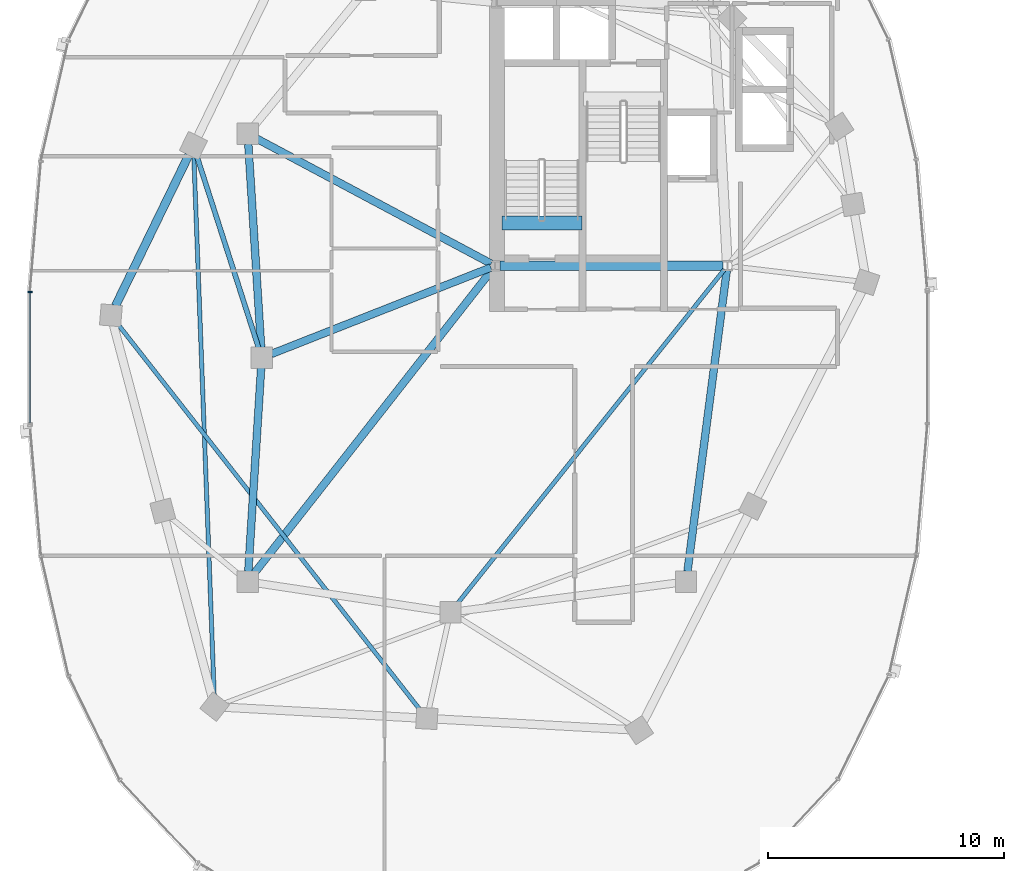
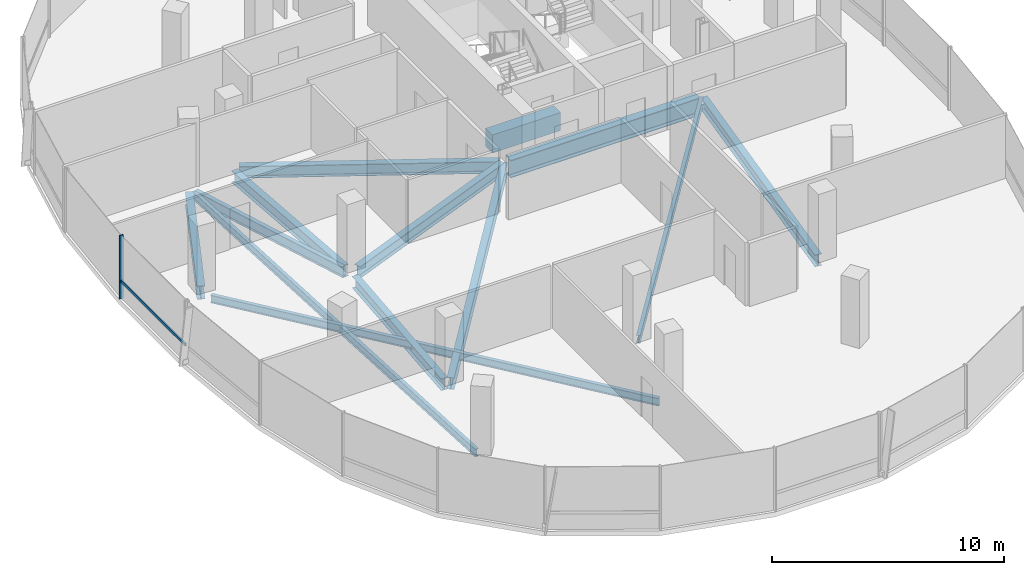
# One storey, part 4 of 25: 13 beams, 2 members, 1 element without a shape of its own.
"""IFC4 building model written with IfcOpenShell, lengths in metres."""

from ifc_helpers import new_model, si_unit, direction, frame, origin, origin_2d, place, context, subcontext, project, spatial, rectangle, i_section, extrude, material, material_profile, profile_set, type_object, element, aggregate, save


model = new_model("IFC4")

# Units and contexts
model_context = context("Model", 3, precision=1e-05, world=origin(), true_north=direction((0.0, 1.0)))
body_context = subcontext(model_context, "Body", "Model", "MODEL_VIEW")
ifc_project = project(units=[si_unit("LENGTHUNIT", "METRE"), si_unit("AREAUNIT", "SQUARE_METRE"), si_unit("VOLUMEUNIT", "CUBIC_METRE"), si_unit("PLANEANGLEUNIT", "RADIAN"), si_unit("MASSUNIT", "GRAM", prefix="KILO"), si_unit("THERMODYNAMICTEMPERATUREUNIT", "KELVIN"), si_unit("POWERUNIT", "WATT")], contexts=[model_context])

# Site, building, storey
site_placement = place(None, origin())
site = spatial("IfcSite", under=ifc_project, at=site_placement, CompositionType="ELEMENT")
building_placement = place(site_placement, origin())
building = spatial("IfcBuilding", under=site, at=building_placement, Name="Cundina Bronze Exchange", CompositionType="ELEMENT")
storey_placement = place(building_placement, frame((0.0, 0.0, 209.800048828125)))
storey = spatial("IfcBuildingStorey", under=building, at=storey_placement, Name="L55", CompositionType="ELEMENT", Elevation=209.800048828125)

# Beams
ifc_material_1 = material(Name="Concrete C60/75", Category="concrete")
ifc_material_profile_1 = material_profile(ifc_material_1, rectangle(XDim=0.60009765625, YDim=0.949951171875, at=origin_2d()), Name="RC600X950", Category="concrete")
ifc_profile_set_1 = profile_set([ifc_material_profile_1], Name="Concrete C60/75")
beam_type_1 = type_object("IfcBeamType", Name="BM-COUP-RC950", PredefinedType="LINTEL", material=ifc_profile_set_1)
beam_1_placement = place(storey_placement, frame((-31.02001953125, 5.719970703125, -0.47509765625), z_axis=(1.0, 0.0, 0.0), x_axis=(0.0, 1.0, 0.0)))
element("IfcBeam", 1, at=beam_1_placement, inside=storey, type_object=beam_type_1, Name="L55 Stair W1 Landing Header Beam", PredefinedType="LINTEL", context=body_context, shape_type="SweptSolid", body=[
    extrude(rectangle(XDim=0.60009765625, YDim=0.949951171875, at=origin_2d()), origin(), (0.0, 0.0, 1.0), 3.39990234375),
])
ifc_material_2 = material(Name="Steel ASTM A992 Grade 50", Category="steel")
ifc_material_profile_2 = material_profile(ifc_material_2, i_section(OverallWidth=0.2119140625, OverallDepth=0.5439453125, WebThickness=0.01318359375, FlangeThickness=0.021240234375, FilletRadius=0.013916015625, at=origin_2d()), Name="W21X83", Category="steel")
ifc_profile_set_2 = profile_set([ifc_material_profile_2], Name="Steel ASTM A992 Grade 50")
beam_type_2 = type_object("IfcBeamType", Name="BM-FLR-W21A", PredefinedType="BEAM", material=ifc_profile_set_2)
beam_2_placement = place(storey_placement, frame((-41.334228515625, 0.4169921875, -0.531982421875), z_axis=(-0.306727566953, 0.951797352208, 0.0), x_axis=(-0.951797352208, -0.306727566953, 0.0)))
element("IfcBeam", 2, at=beam_2_placement, inside=storey, type_object=beam_type_2, Name="L55 Leg W Radial Floor Beam 07", PredefinedType="BEAM", context=body_context, shape_type="SweptSolid", body=[
    extrude(i_section(OverallWidth=0.2119140625, OverallDepth=0.5439453125, WebThickness=0.01318359375, FlangeThickness=0.021240234375, FilletRadius=0.013916015625, at=origin_2d()), origin(), (0.0, 0.0, 1.0), 8.57958984375),
])
ifc_material_profile_3 = material_profile(ifc_material_2, i_section(OverallWidth=0.178955078125, OverallDepth=0.409912109375, WebThickness=0.0087890625, FlangeThickness=0.014404296875, FilletRadius=0.010986328125, at=origin_2d()), Name="W16X45", Category="steel")
ifc_profile_set_3 = profile_set([ifc_material_profile_3], Name="Steel ASTM A992 Grade 50")
beam_type_3 = type_object("IfcBeamType", Name="BM-JST-W16", PredefinedType="JOIST", material=ifc_profile_set_3)
beam_3_placement = place(storey_placement, frame((-21.572509765625, 3.746826171875, -0.465087890625), z_axis=(-0.624364266872, -0.781133319129, 0.0), x_axis=(0.781133319129, -0.624364266872, 0.0)))
element("IfcBeam", 3, at=beam_3_placement, inside=storey, type_object=beam_type_3, Name="L55 W Interior Core-to-Ring Joist 2", PredefinedType="JOIST", context=body_context, shape_type="SweptSolid", body=[
    extrude(i_section(OverallWidth=0.178955078125, OverallDepth=0.409912109375, WebThickness=0.0087890625, FlangeThickness=0.014404296875, FilletRadius=0.010986328125, at=origin_2d()), origin(), (0.0, 0.0, 1.0), 18.184814453125),
])
beam_4_placement = place(storey_placement, frame((-44.08349609375, 8.562255859375, -0.465087890625), z_axis=(0.037790216102, -0.999285694667, 0.0), x_axis=(0.999285694667, 0.037790216102, 0.0)))
element("IfcBeam", 4, at=beam_4_placement, inside=storey, type_object=beam_type_3, Name="L55 Leg W Lobe Floor Joist 07-10", PredefinedType="JOIST", context=body_context, shape_type="SweptSolid", body=[
    extrude(i_section(OverallWidth=0.178955078125, OverallDepth=0.409912109375, WebThickness=0.0087890625, FlangeThickness=0.014404296875, FilletRadius=0.010986328125, at=origin_2d()), origin(), (0.0, 0.0, 1.0), 22.94091796875),
])
beam_5_placement = place(storey_placement, frame((-47.329833984375, 1.455078125, -0.465087890625), z_axis=(0.616810493522, -0.787111691618, 0.0), x_axis=(0.787111691618, 0.616810493522, 0.0)))
element("IfcBeam", 5, at=beam_5_placement, inside=storey, type_object=beam_type_3, Name="L55 Leg W Lobe Floor Joist 08-11", PredefinedType="JOIST", context=body_context, shape_type="SweptSolid", body=[
    extrude(i_section(OverallWidth=0.178955078125, OverallDepth=0.409912109375, WebThickness=0.0087890625, FlangeThickness=0.014404296875, FilletRadius=0.010986328125, at=origin_2d()), origin(), (0.0, 0.0, 1.0), 20.8486328125),
])
ifc_material_profile_4 = material_profile(ifc_material_2, i_section(OverallWidth=0.324951171875, OverallDepth=0.615966796875, WebThickness=0.013916015625, FlangeThickness=0.021484375, FilletRadius=0.01611328125, at=origin_2d()), Name="W24X117", Category="steel")
ifc_profile_set_4 = profile_set([ifc_material_profile_4], Name="Steel ASTM A992 Grade 50")
beam_type_4 = type_object("IfcBeamType", Name="BM-RING-W24", PredefinedType="USERDEFINED", material=ifc_profile_set_4)
for number, where, z_axis, x_axis, name in (
    (6, (-41.7724609375, 9.06298828125, -0.568115234375), (0.063046519736, -0.998010589297, 0.0), (0.998010589297, 0.063046519736, 0.0), "L55 W Inner Structural Ring Girder 03"),
    (7, (-41.2275390625, -0.43701171875, -0.568115234375), (-0.063046519736, -0.998010589297, 0.0), (0.998010589297, -0.063046519736, 0.0), "L55 W Inner Structural Ring Girder 04"),
):
    element("IfcBeam", number, at=place(storey_placement, frame(where, z_axis=z_axis, x_axis=x_axis)), inside=storey, type_object=beam_type_4, Name=name, ObjectType="GIRDER", PredefinedType="USERDEFINED", context=body_context, shape_type="SweptSolid", body=[
        extrude(i_section(OverallWidth=0.324951171875, OverallDepth=0.615966796875, WebThickness=0.013916015625, FlangeThickness=0.021484375, FilletRadius=0.01611328125, at=origin_2d()), origin(), (0.0, 0.0, 1.0), 8.64306640625),
    ])
beam_6_placement = place(storey_placement, frame((-23.143310546875, -9.065673828125, -0.568115234375), z_axis=(0.129501251979, 0.991579258424, 0.0), x_axis=(-0.991579258424, 0.129501251979, 0.0)))
element("IfcBeam", 8, at=beam_6_placement, inside=storey, type_object=beam_type_4, Name="L55 W Inner Structural Ring Girder 07", ObjectType="GIRDER", PredefinedType="USERDEFINED", context=body_context, shape_type="SweptSolid", body=[
    extrude(i_section(OverallWidth=0.324951171875, OverallDepth=0.615966796875, WebThickness=0.013916015625, FlangeThickness=0.021484375, FilletRadius=0.01611328125, at=origin_2d()), origin(), (0.0, 0.0, 1.0), 12.8798828125),
])
beam_7_placement = place(storey_placement, frame((-31.482421875, 3.828125, -0.568115234375), z_axis=(-0.930404106569, -0.366535398673, 0.0), x_axis=(0.366535398673, -0.930404106569, 0.0)))
element("IfcBeam", 9, at=beam_7_placement, inside=storey, type_object=beam_type_4, Name="L55 W Core-to-Waist Tie Beam 1", ObjectType="GIRDER", PredefinedType="USERDEFINED", context=body_context, shape_type="SweptSolid", body=[
    extrude(i_section(OverallWidth=0.324951171875, OverallDepth=0.615966796875, WebThickness=0.013916015625, FlangeThickness=0.021484375, FilletRadius=0.01611328125, at=origin_2d()), origin(), (0.0, 0.0, 1.0), 10.00634765625),
])
beam_8_placement = place(storey_placement, frame((-31.472900390625, 3.9921875, -0.568115234375), z_axis=(-0.882350541683, 0.470592734317, 0.0), x_axis=(-0.470592734317, -0.882350541683, 0.0)))
element("IfcBeam", 10, at=beam_8_placement, inside=storey, type_object=beam_type_4, Name="L55 W Core-to-Waist Tie Beam 2", ObjectType="GIRDER", PredefinedType="USERDEFINED", context=body_context, shape_type="SweptSolid", body=[
    extrude(i_section(OverallWidth=0.324951171875, OverallDepth=0.615966796875, WebThickness=0.013916015625, FlangeThickness=0.021484375, FilletRadius=0.01611328125, at=origin_2d()), origin(), (0.0, 0.0, 1.0), 11.26611328125),
])
beam_9_placement = place(storey_placement, frame((-31.4208984375, 3.74560546875, -0.568115234375), z_axis=(-0.616782900053, -0.787133314123, 0.0), x_axis=(0.787133314123, -0.616782900053, 0.0)))
element("IfcBeam", 11, at=beam_9_placement, inside=storey, type_object=beam_type_4, Name="L55 W Core-to-Waist Tie Beam 3", ObjectType="GIRDER", PredefinedType="USERDEFINED", context=body_context, shape_type="SweptSolid", body=[
    extrude(i_section(OverallWidth=0.324951171875, OverallDepth=0.615966796875, WebThickness=0.013916015625, FlangeThickness=0.021484375, FilletRadius=0.01611328125, at=origin_2d()), origin(), (0.0, 0.0, 1.0), 16.3896484375),
])
ifc_material_profile_5 = material_profile(ifc_material_2, i_section(OverallWidth=0.35498046875, OverallDepth=0.695068359375, WebThickness=0.015380859375, FlangeThickness=0.02490234375, FilletRadius=0.01806640625, at=origin_2d()), Name="W27X146", Category="steel")
ifc_profile_set_5 = profile_set([ifc_material_profile_5], Name="Steel ASTM A992 Grade 50")
beam_type_5 = type_object("IfcBeamType", Name="BM-RING-W27", PredefinedType="USERDEFINED", material=ifc_profile_set_5)
beam_10_placement = place(storey_placement, frame((-44.29150390625, 8.606201171875, -0.607666015625), z_axis=(-0.437173087764, -0.89937739094, 0.0), x_axis=(0.89937739094, -0.437173087764, 0.0)))
element("IfcBeam", 12, at=beam_10_placement, inside=storey, type_object=beam_type_5, Name="L55 W Perimeter Ring Girder 07", ObjectType="GIRDER", PredefinedType="USERDEFINED", context=body_context, shape_type="SweptSolid", body=[
    extrude(i_section(OverallWidth=0.35498046875, OverallDepth=0.695068359375, WebThickness=0.015380859375, FlangeThickness=0.02490234375, FilletRadius=0.01806640625, at=origin_2d()), origin(), (0.0, 0.0, 1.0), 7.1298828125),
])
ifc_material_profile_6 = material_profile(ifc_material_2, i_section(OverallWidth=0.41796875, OverallDepth=0.927001953125, WebThickness=0.019287109375, FlangeThickness=0.031982421875, FilletRadius=0.02392578125, at=origin_2d()), Name="W36X231", Category="steel")
ifc_profile_set_6 = profile_set([ifc_material_profile_6], Name="Steel ASTM A992 Grade 50")
beam_type_6 = type_object("IfcBeamType", Name="BM-WRN-W36B", PredefinedType="USERDEFINED", material=ifc_profile_set_6)
beam_11_placement = place(storey_placement, frame((-31.10400390625, 3.89990234375, -0.7236328125), z_axis=(1.0, 0.0, 0.0), x_axis=(0.0, 1.0, 0.0)))
element("IfcBeam", 13, at=beam_11_placement, inside=storey, type_object=beam_type_6, Name="L55 W Core Perimeter Tie Girder 1", ObjectType="GIRDER", PredefinedType="USERDEFINED", context=body_context, shape_type="SweptSolid", body=[
    extrude(i_section(OverallWidth=0.41796875, OverallDepth=0.927001953125, WebThickness=0.019287109375, FlangeThickness=0.031982421875, FilletRadius=0.02392578125, at=origin_2d()), origin(), (0.0, 0.0, 1.0), 9.4580078125),
])

# Curtain wall, members
ifc_material_3 = material(Name="Anodised Bronze Aluminium 6063-T6", Category="aluminium")
curtain_wall_type = type_object("IfcCurtainWallType", Name="CWS-UPP-OFF", PredefinedType="NOTDEFINED", material=ifc_material_3)
curtain_wall_placement = place(storey_placement, origin())
curtain_wall = element("IfcCurtainWall", 14, at=curtain_wall_placement, inside=storey, type_object=curtain_wall_type, Name="L55 CW-05 Curtain Wall Run CWR-L55-W2", PredefinedType="NOTDEFINED")
ifc_material_profile_7 = material_profile(ifc_material_3, rectangle(XDim=0.070068359375, YDim=0.18994140625, at=origin_2d()), Name="AL70X190", Category="aluminium")
ifc_profile_set_7 = profile_set([ifc_material_profile_7], Name="Anodised Bronze Aluminium 6063-T6")
member_type_1 = type_object("IfcMemberType", Name="CWM-MUL-190", PredefinedType="MULLION", material=ifc_profile_set_7)
member_1_placement = place(storey_placement, frame((-51.033935546875, 2.794921875, 0.0), z_axis=(0.0, 0.0, 1.0), x_axis=(0.0, -1.0, 0.0)))
member_1 = element("IfcMember", 15, at=member_1_placement, type_object=member_type_1, Name="CW-05 Mullion 7", PredefinedType="MULLION", context=body_context, shape_type="SweptSolid", body=[
    extrude(rectangle(XDim=0.070068359375, YDim=0.18994140625, at=origin_2d()), origin(), (0.0, 0.0, 1.0), 3.33984375),
])
ifc_material_profile_8 = material_profile(ifc_material_3, rectangle(XDim=0.06494140625, YDim=0.14990234375, at=origin_2d()), Name="AL65X150", Category="aluminium")
ifc_profile_set_8 = profile_set([ifc_material_profile_8], Name="Anodised Bronze Aluminium 6063-T6")
member_type_2 = type_object("IfcMemberType", Name="CWM-TRN-150", PredefinedType="USERDEFINED", material=ifc_profile_set_8)
member_2_placement = place(storey_placement, frame((-51.033935546875, 2.756591796875, 0.919921875), z_axis=(0.0, -1.0, 0.0), x_axis=(1.0, 0.0, 0.0)))
member_2 = element("IfcMember", 16, at=member_2_placement, type_object=member_type_2, Name="CW-05 Spandrel Transom 7", ObjectType="TRANSOM", PredefinedType="USERDEFINED", context=body_context, shape_type="SweptSolid", body=[
    extrude(rectangle(XDim=0.06494140625, YDim=0.14990234375, at=origin_2d()), origin(), (0.0, 0.0, 1.0), 5.51318359375),
])
aggregate(curtain_wall, [member_1, member_2])

save(model, "model.ifc")
